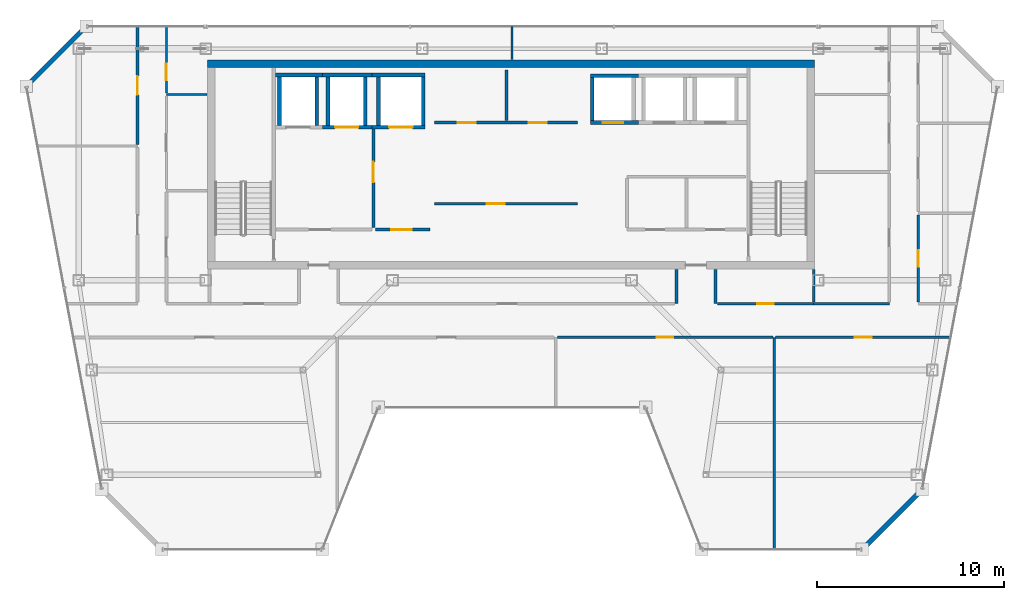
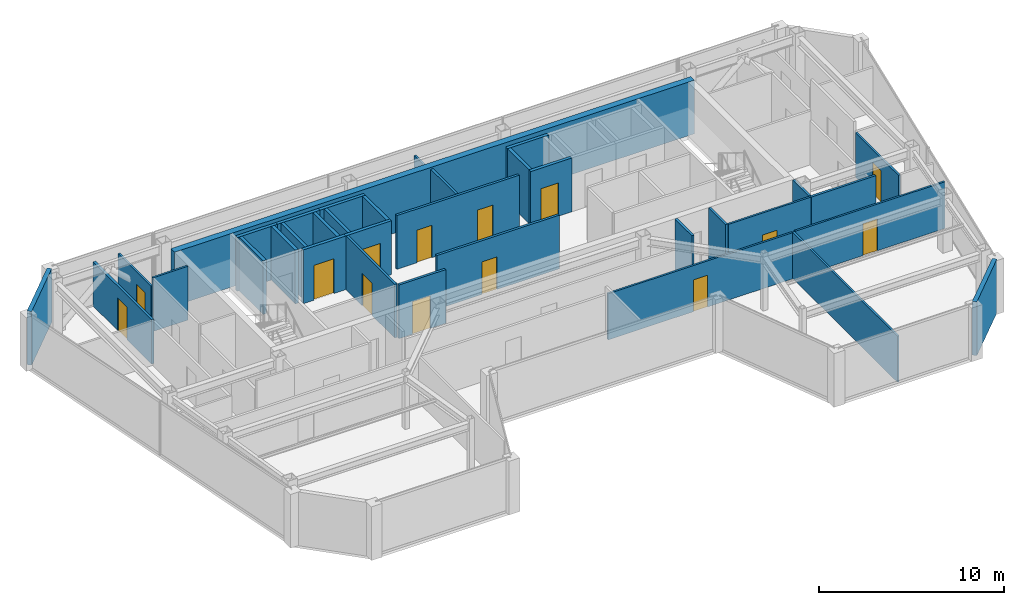
# One storey, part 19 of 22: 35 walls, 14 doors, 14 openings.
"""IFC4 building model written with IfcOpenShell, lengths in metres."""

from ifc_helpers import new_model, si_unit, direction, frame, frame_2d, origin, place, context, subcontext, project, spatial, rectangle, extrude, material, layer, layer_set, type_object, element, fill, save


model = new_model("IFC4")

# Units and contexts
model_context = context("Model", 3, precision=1e-05, world=origin(), true_north=direction((0.0, 1.0)))
body_context = subcontext(model_context, "Body", "Model", "MODEL_VIEW")
ifc_project = project(units=[si_unit("LENGTHUNIT", "METRE"), si_unit("AREAUNIT", "SQUARE_METRE"), si_unit("VOLUMEUNIT", "CUBIC_METRE"), si_unit("PLANEANGLEUNIT", "RADIAN"), si_unit("MASSUNIT", "GRAM", prefix="KILO")], contexts=[model_context])

# Site, building, storey
site_placement = place(None, origin())
site = spatial("IfcSite", under=ifc_project, at=site_placement, CompositionType="ELEMENT")
building_placement = place(site_placement, origin())
building = spatial("IfcBuilding", under=site, at=building_placement, Name="Saevonmaru Cultural Tower", CompositionType="ELEMENT")
storey_placement = place(building_placement, frame((0.0, 0.0, 287.60009765625)))
storey = spatial("IfcBuildingStorey", under=building, at=storey_placement, Name="L68", CompositionType="ELEMENT", Elevation=287.60009765625)

# Wall
ifc_material_1 = material(Name="Concrete C50/60", Category="concrete")
ifc_layer_1 = layer(ifc_material_1, 0.39990234375, Name="Concrete C50/60")
ifc_layer_set_1 = layer_set([ifc_layer_1], Name="Concrete C50/60")
wall_type_1 = type_object("IfcWallType", Name="WL-CORE-400", PredefinedType="SHEAR", material=ifc_layer_set_1)
wall_1_placement = place(storey_placement, frame((13.699951171875, 54.0, 0.0), z_axis=(0.0, 0.0, 1.0), x_axis=(1.0, 0.0, 0.0)))
element("IfcWall", 1, at=wall_1_placement, inside=storey, type_object=wall_type_1, Name="L68 Tower RC core shear wall N", PredefinedType="SHEAR", context=body_context, shape_type="SweptSolid", body=[
    extrude(rectangle(XDim=32.5, YDim=0.39990234375, at=frame_2d((16.25, 0.0))), origin(), (0.0, 0.0, 1.0), 3.5498046875),
])

# Wall, opening, door
ifc_material_2 = material(Name="Gypsum Fireboard Partition", Category="gypsum")
ifc_layer_2 = layer(ifc_material_2, 0.14990234375, Name="Gypsum Fireboard Partition")
ifc_layer_set_2 = layer_set([ifc_layer_2], Name="Gypsum Fireboard Partition")
wall_type_2 = type_object("IfcWallType", Name="WL-CORE-PART-150", PredefinedType="PARTITIONING", material=ifc_layer_set_2)
wall_2_placement = place(storey_placement, frame((22.580078125, 50.550048828125, 0.0), z_axis=(0.0, 0.0, 1.0), x_axis=(0.0, -1.0, 0.0)))
wall_2 = element("IfcWall", 2, at=wall_2_placement, inside=storey, type_object=wall_type_2, Name="L68 Firefighting Lift Lobby East Wall", PredefinedType="PARTITIONING", context=body_context, shape_type="SweptSolid", body=[
    extrude(rectangle(XDim=5.330078125, YDim=0.14990234375, at=frame_2d((2.6650390625, 0.0))), origin(), (0.0, 0.0, 1.0), 3.5498046875),
])
opening_1_placement = place(wall_2_placement, frame((1.800048828125, 0.0, 0.0)))
opening_1 = element("IfcOpeningElement", 3, at=opening_1_placement, cuts=wall_2, Name="Opening FD-2", PredefinedType="OPENING", context=body_context, shape_type="SweptSolid", body=[
    extrude(rectangle(XDim=1.10009765625, YDim=2.14990234375, at=frame_2d((0.550048828125, 1.074951171875))), frame((0.0, 0.0849609375, 0.0), z_axis=(0.0, -1.0, 0.0), x_axis=(1.0, 0.0, 0.0)), (0.0, 0.0, 1.0), 0.169921875),
])
ifc_material_3 = material(Name="Satin Bronze Anodised Aluminium", Category="aluminium")
door_type_1 = type_object("IfcDoorType", Name="DR-FD60-1100", OperationType="SINGLE_SWING_LEFT", PredefinedType="DOOR", material=ifc_material_3)
door_1_placement = place(opening_1_placement, origin())
door_1 = element("IfcDoor", 4, at=door_1_placement, inside=storey, type_object=door_type_1, Name="L68 Firefighting Lift Lobby East Door", OperationType="SINGLE_SWING_LEFT", OverallHeight=2.14990234375, OverallWidth=1.10009765625, PredefinedType="DOOR", context=body_context, shape_type="SweptSolid", body=[
    extrude(rectangle(XDim=1.10009765625, YDim=2.14990234375, at=frame_2d((0.550048828125, 1.074951171875))), frame((0.0, 0.02490234375, 0.0), z_axis=(0.0, -1.0, 0.0), x_axis=(1.0, 0.0, 0.0)), (0.0, 0.0, 1.0), 0.050048828125),
])
fill(opening_1, door_1)

wall_3_placement = place(storey_placement, frame((22.679931640625, 45.1201171875, 0.0), z_axis=(0.0, 0.0, 1.0), x_axis=(1.0, 0.0, 0.0)))
wall_3 = element("IfcWall", 5, at=wall_3_placement, inside=storey, type_object=wall_type_2, Name="L68 Service Lift Vestibule Wall", PredefinedType="PARTITIONING", context=body_context, shape_type="SweptSolid", body=[
    extrude(rectangle(XDim=2.920166015625, YDim=0.14990234375, at=frame_2d((1.4599609375, 0.0))), origin(), (0.0, 0.0, 1.0), 3.5498046875),
])
opening_2_placement = place(wall_3_placement, frame((0.85009765625, 0.0, 0.0)))
opening_2 = element("IfcOpeningElement", 6, at=opening_2_placement, cuts=wall_3, Name="Opening FD-2", PredefinedType="OPENING", context=body_context, shape_type="SweptSolid", body=[
    extrude(rectangle(XDim=1.10009765625, YDim=2.14990234375, at=frame_2d((0.550048828125, 1.074951171875))), frame((0.0, 0.0849609375, 0.0), z_axis=(0.0, -1.0, 0.0), x_axis=(1.0, 0.0, 0.0)), (0.0, 0.0, 1.0), 0.169921875),
])
door_2_placement = place(opening_2_placement, origin())
door_2 = element("IfcDoor", 7, at=door_2_placement, inside=storey, type_object=door_type_1, Name="L68 Service Lift Vestibule Door", OperationType="SINGLE_SWING_LEFT", OverallHeight=2.14990234375, OverallWidth=1.10009765625, PredefinedType="DOOR", context=body_context, shape_type="SweptSolid", body=[
    extrude(rectangle(XDim=1.10009765625, YDim=2.14990234375, at=frame_2d((0.550048828125, 1.074951171875))), frame((0.0, 0.02490234375, 0.0), z_axis=(0.0, -1.0, 0.0), x_axis=(1.0, 0.0, 0.0)), (0.0, 0.0, 1.0), 0.050048828125),
])
fill(opening_2, door_2)

# Wall, openings, doors
wall_4_placement = place(storey_placement, frame((25.85009765625, 50.85009765625, 0.0), z_axis=(0.0, 0.0, 1.0), x_axis=(1.0, 0.0, 0.0)))
wall_4 = element("IfcWall", 8, at=wall_4_placement, inside=storey, type_object=wall_type_2, Name="L68 Reclaimed Core Room South Wall", PredefinedType="PARTITIONING", context=body_context, shape_type="SweptSolid", body=[
    extrude(rectangle(XDim=7.64990234375, YDim=0.14990234375, at=frame_2d((3.824951171875, 0.0))), origin(), (0.0, 0.0, 1.0), 3.5498046875),
])
opening_3_placement = place(wall_4_placement, frame((1.25, 0.0, 0.0)))
opening_3 = element("IfcOpeningElement", 9, at=opening_3_placement, cuts=wall_4, Name="Opening FD-4", PredefinedType="OPENING", context=body_context, shape_type="SweptSolid", body=[
    extrude(rectangle(XDim=0.949951171875, YDim=2.14990234375, at=frame_2d((0.47509765625, 1.074951171875))), frame((0.0, 0.0849609375, 0.0), z_axis=(0.0, -1.0, 0.0), x_axis=(1.0, 0.0, 0.0)), (0.0, 0.0, 1.0), 0.169921875),
])
opening_4_placement = place(wall_4_placement, frame((5.050048828125, 0.0, 0.0)))
opening_4 = element("IfcOpeningElement", 10, at=opening_4_placement, cuts=wall_4, Name="Opening FD-4", PredefinedType="OPENING", context=body_context, shape_type="SweptSolid", body=[
    extrude(rectangle(XDim=0.949951171875, YDim=2.14990234375, at=frame_2d((0.47509765625, 1.074951171875))), frame((0.0, 0.0849609375, 0.0), z_axis=(0.0, -1.0, 0.0), x_axis=(1.0, 0.0, 0.0)), (0.0, 0.0, 1.0), 0.169921875),
])
door_type_2 = type_object("IfcDoorType", Name="DR-FD60-950", OperationType="SINGLE_SWING_LEFT", PredefinedType="DOOR", material=ifc_material_3)
door_3_placement = place(opening_3_placement, origin())
door_3 = element("IfcDoor", 11, at=door_3_placement, inside=storey, type_object=door_type_2, Name="L68 Reclaimed Archive Vault Door", OperationType="SINGLE_SWING_LEFT", OverallHeight=2.14990234375, OverallWidth=0.949951171875, PredefinedType="DOOR", context=body_context, shape_type="SweptSolid", body=[
    extrude(rectangle(XDim=0.949951171875, YDim=2.14990234375, at=frame_2d((0.47509765625, 1.074951171875))), frame((0.0, 0.02490234375, 0.0), z_axis=(0.0, -1.0, 0.0), x_axis=(1.0, 0.0, 0.0)), (0.0, 0.0, 1.0), 0.050048828125),
])
fill(opening_3, door_3)
door_4_placement = place(opening_4_placement, origin())
door_4 = element("IfcDoor", 12, at=door_4_placement, inside=storey, type_object=door_type_2, Name="L68 Reclaimed Conservation Storage Door", OperationType="SINGLE_SWING_LEFT", OverallHeight=2.14990234375, OverallWidth=0.949951171875, PredefinedType="DOOR", context=body_context, shape_type="SweptSolid", body=[
    extrude(rectangle(XDim=0.949951171875, YDim=2.14990234375, at=frame_2d((0.47509765625, 1.074951171875))), frame((0.0, 0.02490234375, 0.0), z_axis=(0.0, -1.0, 0.0), x_axis=(1.0, 0.0, 0.0)), (0.0, 0.0, 1.0), 0.050048828125),
])
fill(opening_4, door_4)

# Wall
wall_5_placement = place(storey_placement, frame((29.699951171875, 50.949951171875, 0.0), z_axis=(0.0, 0.0, 1.0), x_axis=(0.0, 1.0, 0.0)))
element("IfcWall", 13, at=wall_5_placement, inside=storey, type_object=wall_type_2, Name="L68 Reclaimed Vault Split", PredefinedType="PARTITIONING", context=body_context, shape_type="SweptSolid", body=[
    extrude(rectangle(XDim=2.699951171875, YDim=0.14990234375, at=frame_2d((1.35009765625, 0.0))), origin(), (0.0, 0.0, 1.0), 3.5498046875),
])

# Wall, opening, door
wall_6_placement = place(storey_placement, frame((25.85009765625, 46.5, 0.0), z_axis=(0.0, 0.0, 1.0), x_axis=(1.0, 0.0, 0.0)))
wall_6 = element("IfcWall", 14, at=wall_6_placement, inside=storey, type_object=wall_type_2, Name="L68 Reclaimed Mid-Shaft Wall", PredefinedType="PARTITIONING", context=body_context, shape_type="SweptSolid", body=[
    extrude(rectangle(XDim=7.64990234375, YDim=0.14990234375, at=frame_2d((3.824951171875, 0.0))), origin(), (0.0, 0.0, 1.0), 3.5498046875),
])
opening_5_placement = place(wall_6_placement, frame((2.800048828125, 0.0, 0.0)))
opening_5 = element("IfcOpeningElement", 15, at=opening_5_placement, cuts=wall_6, Name="Opening FD-4", PredefinedType="OPENING", context=body_context, shape_type="SweptSolid", body=[
    extrude(rectangle(XDim=0.949951171875, YDim=2.14990234375, at=frame_2d((0.47509765625, 1.074951171875))), frame((0.0, 0.0849609375, 0.0), z_axis=(0.0, -1.0, 0.0), x_axis=(1.0, 0.0, 0.0)), (0.0, 0.0, 1.0), 0.169921875),
])
door_5_placement = place(opening_5_placement, origin())
door_5 = element("IfcDoor", 16, at=door_5_placement, inside=storey, type_object=door_type_2, Name="L68 Reclaimed Manuscript Storage Door", OperationType="SINGLE_SWING_LEFT", OverallHeight=2.14990234375, OverallWidth=0.949951171875, PredefinedType="DOOR", context=body_context, shape_type="SweptSolid", body=[
    extrude(rectangle(XDim=0.949951171875, YDim=2.14990234375, at=frame_2d((0.47509765625, 1.074951171875))), frame((0.0, 0.02490234375, 0.0), z_axis=(0.0, -1.0, 0.0), x_axis=(1.0, 0.0, 0.0)), (0.0, 0.0, 1.0), 0.050048828125),
])
fill(opening_5, door_5)

# Walls
ifc_material_4 = material(Name="Granite-Clad Precast Concrete C40/50", Category="masonry")
ifc_layer_3 = layer(ifc_material_4, 0.260009765625, Name="Granite-Clad Precast Concrete C40/50")
ifc_layer_set_3 = layer_set([ifc_layer_3], Name="Granite-Clad Precast Concrete C40/50")
wall_type_3 = type_object("IfcWallType", Name="WL-EXT-SPANDREL-260", PredefinedType="STANDARD", material=ifc_layer_set_3)
for number, where, z_axis, x_axis, name in (
    (17, (48.86865234375, 28.113037109375, 0.0), (0.0, 0.0, 1.0), (0.707106781187, 0.707106781187, 0.0), "L68 Chamfer Corner Spandrel Wall E7"),
    (18, (7.0869140625, 55.886962890625, 0.0), (0.0, 0.0, 1.0), (-0.707106781187, -0.707106781187, 0.0), "L68 Chamfer Corner Spandrel Wall E11"),
):
    element("IfcWall", number, at=place(storey_placement, frame(where, z_axis=z_axis, x_axis=x_axis)), inside=storey, type_object=wall_type_3, Name=name, PredefinedType="STANDARD", context=body_context, shape_type="SweptSolid", body=[
        extrude(rectangle(XDim=4.205810546875, YDim=0.260009765625, at=frame_2d((2.10302734375, 0.0))), origin(), (0.0, 0.0, 1.0), 3.5498046875),
    ])

# Wall, opening, door
ifc_layer_4 = layer(ifc_material_2, 0.14990234375, Name="Gypsum Fireboard Partition")
ifc_layer_set_4 = layer_set([ifc_layer_4], Name="Gypsum Fireboard Partition")
wall_type_4 = type_object("IfcWallType", Name="WL-PART-FIRE-150", PredefinedType="PARTITIONING", material=ifc_layer_set_4)
wall_7_placement = place(storey_placement, frame((9.949951171875, 49.679931640625, 0.0), z_axis=(0.0, 0.0, 1.0), x_axis=(0.0, 1.0, 0.0)))
wall_7 = element("IfcWall", 19, at=wall_7_placement, inside=storey, type_object=wall_type_4, Name="L68 Sound Art Screening Auditorium Corridor Wall", PredefinedType="PARTITIONING", context=body_context, shape_type="SweptSolid", body=[
    extrude(rectangle(XDim=6.315185546875, YDim=0.14990234375, at=frame_2d((3.15771484375, 0.0))), origin(), (0.0, 0.0, 1.0), 2.934814453125),
])
opening_6_placement = place(wall_7_placement, frame((2.656982421875, 0.0, 0.0)))
opening_6 = element("IfcOpeningElement", 20, at=opening_6_placement, cuts=wall_7, Name="Opening ID-1B", PredefinedType="OPENING", context=body_context, shape_type="SweptSolid", body=[
    extrude(rectangle(XDim=1.0, YDim=2.14990234375, at=frame_2d((0.5, 1.074951171875))), frame((0.0, 0.0849609375, 0.0), z_axis=(0.0, -1.0, 0.0), x_axis=(1.0, 0.0, 0.0)), (0.0, 0.0, 1.0), 0.169921875),
])
ifc_material_5 = material(Name="Acoustic Stained Oak Timber", Category="wood")
door_type_3 = type_object("IfcDoorType", Name="DR-INT-1000", OperationType="SINGLE_SWING_RIGHT", PredefinedType="DOOR", material=ifc_material_5)
door_6_placement = place(opening_6_placement, origin())
door_6 = element("IfcDoor", 21, at=door_6_placement, inside=storey, type_object=door_type_3, Name="L68 Sound Art Screening Auditorium Door", OperationType="SINGLE_SWING_LEFT", OverallHeight=2.14990234375, OverallWidth=1.0, PredefinedType="DOOR", context=body_context, shape_type="SweptSolid", body=[
    extrude(rectangle(XDim=1.0, YDim=2.14990234375, at=frame_2d((0.5, 1.074951171875))), frame((0.0, 0.02490234375, 0.0), z_axis=(0.0, -1.0, 0.0), x_axis=(1.0, 0.0, 0.0)), (0.0, 0.0, 1.0), 0.050048828125),
])
fill(opening_6, door_6)

# Walls
for number, where, z_axis, x_axis, name in (
    (22, (38.800048828125, 41.14990234375, 0.0), (0.0, 0.0, 1.0), (0.0, 1.0, 0.0), "L68 Core Portal Side Wall E1"),
    (23, (40.89990234375, 41.14990234375, 0.0), (0.0, 0.0, 1.0), (0.0, 1.0, 0.0), "L68 Core Portal Side Wall E2"),
):
    element("IfcWall", number, at=place(storey_placement, frame(where, z_axis=z_axis, x_axis=x_axis)), inside=storey, type_object=wall_type_4, Name=name, PredefinedType="PARTITIONING", context=body_context, shape_type="SweptSolid", body=[
        extrude(rectangle(XDim=1.830078125, YDim=0.14990234375, at=frame_2d((0.9150390625, 0.0))), origin(), (0.0, 0.0, 1.0), 3.5498046875),
    ])
ifc_layer_5 = layer(ifc_material_2, 0.1201171875, Name="Gypsum Fireboard Partition")
ifc_layer_set_5 = layer_set([ifc_layer_5], Name="Gypsum Fireboard Partition")
wall_type_5 = type_object("IfcWallType", Name="WL-PART-GYP-120", PredefinedType="PARTITIONING", material=ifc_layer_set_5)
wall_8_placement = place(storey_placement, frame((11.5, 52.35009765625, 0.0), z_axis=(0.0, 0.0, 1.0), x_axis=(1.0, 0.0, 0.0)))
element("IfcWall", 24, at=wall_8_placement, inside=storey, type_object=wall_type_5, Name="L68 North-West Panorama South Wall", PredefinedType="PARTITIONING", context=body_context, shape_type="SweptSolid", body=[
    extrude(rectangle(XDim=2.179931640625, YDim=0.1201171875, at=frame_2d((1.08984375, 0.0))), origin(), (0.0, 0.0, 1.0), 3.5498046875),
])
wall_9_placement = place(storey_placement, frame((30.0, 54.219970703125, 0.0), z_axis=(0.0, 0.0, 1.0), x_axis=(0.0, 1.0, 0.0)))
element("IfcWall", 25, at=wall_9_placement, inside=storey, type_object=wall_type_5, Name="L68 North Panorama Center Split", PredefinedType="PARTITIONING", context=body_context, shape_type="SweptSolid", body=[
    extrude(rectangle(XDim=1.775146484375, YDim=0.1201171875, at=frame_2d((0.8876953125, 0.0))), origin(), (0.0, 0.0, 1.0), 2.934814453125),
])

# Wall, opening, door
wall_10_placement = place(storey_placement, frame((11.5, 52.429931640625, 0.0), z_axis=(0.0, 0.0, 1.0), x_axis=(0.0, 1.0, 0.0)))
wall_10 = element("IfcWall", 26, at=wall_10_placement, inside=storey, type_object=wall_type_5, Name="L68 Civic Policy Meeting Room Corridor Wall", PredefinedType="PARTITIONING", context=body_context, shape_type="SweptSolid", body=[
    extrude(rectangle(XDim=3.565185546875, YDim=0.1201171875, at=frame_2d((1.78271484375, 0.0))), origin(), (0.0, 0.0, 1.0), 2.934814453125),
])
opening_7_placement = place(wall_10_placement, frame((0.672119140625, 0.0, 0.0)))
opening_7 = element("IfcOpeningElement", 27, at=opening_7_placement, cuts=wall_10, Name="Opening ID-2", PredefinedType="OPENING", context=body_context, shape_type="SweptSolid", body=[
    extrude(rectangle(XDim=0.89990234375, YDim=2.10009765625, at=frame_2d((0.449951171875, 1.050048828125))), frame((0.0, 0.070068359375, 0.0), z_axis=(0.0, -1.0, 0.0), x_axis=(1.0, 0.0, 0.0)), (0.0, 0.0, 1.0), 0.14013671875),
])
door_type_4 = type_object("IfcDoorType", Name="DR-INT-900", OperationType="SINGLE_SWING_RIGHT", PredefinedType="DOOR", material=ifc_material_5)
door_7_placement = place(opening_7_placement, origin())
door_7 = element("IfcDoor", 28, at=door_7_placement, inside=storey, type_object=door_type_4, Name="L68 Civic Policy Meeting Room Door", OperationType="SINGLE_SWING_LEFT", OverallHeight=2.10009765625, OverallWidth=0.89990234375, PredefinedType="DOOR", context=body_context, shape_type="SweptSolid", body=[
    extrude(rectangle(XDim=0.89990234375, YDim=2.10009765625, at=frame_2d((0.449951171875, 1.050048828125))), frame((0.0, 0.02490234375, 0.0), z_axis=(0.0, -1.0, 0.0), x_axis=(1.0, 0.0, 0.0)), (0.0, 0.0, 1.0), 0.050048828125),
])
fill(opening_7, door_7)

wall_11_placement = place(storey_placement, frame((51.75, 41.237548828125, 0.0), z_axis=(0.0, 0.0, 1.0), x_axis=(0.0, 1.0, 0.0)))
wall_11 = element("IfcWall", 29, at=wall_11_placement, inside=storey, type_object=wall_type_5, Name="L68 Scholarly Colloquium Meeting Room Corridor Wall", PredefinedType="PARTITIONING", context=body_context, shape_type="SweptSolid", body=[
    extrude(rectangle(XDim=4.675048828125, YDim=0.1201171875, at=frame_2d((2.33740234375, 0.0))), origin(), (0.0, 0.0, 1.0), 2.947021484375),
])
opening_8_placement = place(wall_11_placement, frame((1.887939453125, 0.0, 0.0)))
opening_8 = element("IfcOpeningElement", 30, at=opening_8_placement, cuts=wall_11, Name="Opening ID-2", PredefinedType="OPENING", context=body_context, shape_type="SweptSolid", body=[
    extrude(rectangle(XDim=0.89990234375, YDim=2.10009765625, at=frame_2d((0.449951171875, 1.050048828125))), frame((0.0, 0.070068359375, 0.0), z_axis=(0.0, -1.0, 0.0), x_axis=(1.0, 0.0, 0.0)), (0.0, 0.0, 1.0), 0.14013671875),
])
door_8_placement = place(opening_8_placement, origin())
door_8 = element("IfcDoor", 31, at=door_8_placement, inside=storey, type_object=door_type_4, Name="L68 Scholarly Colloquium Meeting Room Door", OperationType="SINGLE_SWING_RIGHT", OverallHeight=2.10009765625, OverallWidth=0.89990234375, PredefinedType="DOOR", context=body_context, shape_type="SweptSolid", body=[
    extrude(rectangle(XDim=0.89990234375, YDim=2.10009765625, at=frame_2d((0.449951171875, 1.050048828125))), frame((0.0, 0.02490234375, 0.0), z_axis=(0.0, -1.0, 0.0), x_axis=(1.0, 0.0, 0.0)), (0.0, 0.0, 1.0), 0.050048828125),
])
fill(opening_8, door_8)

wall_12_placement = place(storey_placement, frame((40.9951171875, 41.14990234375, 0.0), z_axis=(0.0, 0.0, 1.0), x_axis=(1.0, 0.0, 0.0)))
wall_12 = element("IfcWall", 32, at=wall_12_placement, inside=storey, type_object=wall_type_5, Name="L68 Civic Policy Meeting Room Corridor Wall", PredefinedType="PARTITIONING", context=body_context, shape_type="SweptSolid", body=[
    extrude(rectangle(XDim=5.15478515625, YDim=0.1201171875, at=frame_2d((2.577392578125, 0.0))), origin(), (0.0, 0.0, 1.0), 3.5498046875),
])
opening_9_placement = place(wall_12_placement, frame((2.1279296875, 0.0, 0.0)))
opening_9 = element("IfcOpeningElement", 33, at=opening_9_placement, cuts=wall_12, Name="Opening ID-2", PredefinedType="OPENING", context=body_context, shape_type="SweptSolid", body=[
    extrude(rectangle(XDim=0.89990234375, YDim=2.10009765625, at=frame_2d((0.449951171875, 1.050048828125))), frame((0.0, 0.070068359375, 0.0), z_axis=(0.0, -1.0, 0.0), x_axis=(1.0, 0.0, 0.0)), (0.0, 0.0, 1.0), 0.14013671875),
])
door_9_placement = place(opening_9_placement, origin())
door_9 = element("IfcDoor", 34, at=door_9_placement, inside=storey, type_object=door_type_4, Name="L68 Civic Policy Meeting Room Door", OperationType="SINGLE_SWING_LEFT", OverallHeight=2.10009765625, OverallWidth=0.89990234375, PredefinedType="DOOR", context=body_context, shape_type="SweptSolid", body=[
    extrude(rectangle(XDim=0.89990234375, YDim=2.10009765625, at=frame_2d((0.449951171875, 1.050048828125))), frame((0.0, 0.02490234375, 0.0), z_axis=(0.0, -1.0, 0.0), x_axis=(1.0, 0.0, 0.0)), (0.0, 0.0, 1.0), 0.050048828125),
])
fill(opening_9, door_9)

# Wall
wall_13_placement = place(storey_placement, frame((44.0400390625, 28.0048828125, 0.0), z_axis=(0.0, 0.0, 1.0), x_axis=(0.0, 1.0, 0.0)))
element("IfcWall", 35, at=wall_13_placement, inside=storey, type_object=wall_type_5, Name="L68 Observatory Bay Divider 3", PredefinedType="PARTITIONING", context=body_context, shape_type="SweptSolid", body=[
    extrude(rectangle(XDim=11.34521484375, YDim=0.1201171875, at=frame_2d((5.672607421875, 0.0))), origin(), (0.0, 0.0, 1.0), 3.046875),
])

# Wall, opening, door
wall_14_placement = place(storey_placement, frame((32.427490234375, 39.35009765625, 0.0), z_axis=(0.0, 0.0, 1.0), x_axis=(1.0, 0.0, 0.0)))
wall_14 = element("IfcWall", 36, at=wall_14_placement, inside=storey, type_object=wall_type_5, Name="L68 Civic Policy Meeting Room Corridor Wall", PredefinedType="PARTITIONING", context=body_context, shape_type="SweptSolid", body=[
    extrude(rectangle(XDim=11.532470703125, YDim=0.1201171875, at=frame_2d((5.76611328125, 0.0))), origin(), (0.0, 0.0, 1.0), 3.046875),
])
opening_10_placement = place(wall_14_placement, frame((5.31591796875, 0.0, 0.0)))
opening_10 = element("IfcOpeningElement", 37, at=opening_10_placement, cuts=wall_14, Name="Opening ID-2", PredefinedType="OPENING", context=body_context, shape_type="SweptSolid", body=[
    extrude(rectangle(XDim=0.89990234375, YDim=2.10009765625, at=frame_2d((0.449951171875, 1.050048828125))), frame((0.0, 0.070068359375, 0.0), z_axis=(0.0, -1.0, 0.0), x_axis=(1.0, 0.0, 0.0)), (0.0, 0.0, 1.0), 0.14013671875),
])
door_10_placement = place(opening_10_placement, origin())
door_10 = element("IfcDoor", 38, at=door_10_placement, inside=storey, type_object=door_type_4, Name="L68 Civic Policy Meeting Room Door", OperationType="SINGLE_SWING_RIGHT", OverallHeight=2.10009765625, OverallWidth=0.89990234375, PredefinedType="DOOR", context=body_context, shape_type="SweptSolid", body=[
    extrude(rectangle(XDim=0.89990234375, YDim=2.10009765625, at=frame_2d((0.449951171875, 1.050048828125))), frame((0.0, 0.02490234375, 0.0), z_axis=(0.0, -1.0, 0.0), x_axis=(1.0, 0.0, 0.0)), (0.0, 0.0, 1.0), 0.050048828125),
])
fill(opening_10, door_10)

wall_15_placement = place(storey_placement, frame((44.1201171875, 39.35009765625, 0.0), z_axis=(0.0, 0.0, 1.0), x_axis=(1.0, 0.0, 0.0)))
wall_15 = element("IfcWall", 39, at=wall_15_placement, inside=storey, type_object=wall_type_5, Name="L68 Scholarly Colloquium Meeting Room Corridor Wall", PredefinedType="PARTITIONING", context=body_context, shape_type="SweptSolid", body=[
    extrude(rectangle(XDim=9.3564453125, YDim=0.1201171875, at=frame_2d((4.67822265625, 0.0))), origin(), (0.0, 0.0, 1.0), 3.0849609375),
])
opening_11_placement = place(wall_15_placement, frame((4.22802734375, 0.0, 0.0)))
opening_11 = element("IfcOpeningElement", 40, at=opening_11_placement, cuts=wall_15, Name="Opening ID-2", PredefinedType="OPENING", context=body_context, shape_type="SweptSolid", body=[
    extrude(rectangle(XDim=0.89990234375, YDim=2.10009765625, at=frame_2d((0.449951171875, 1.050048828125))), frame((0.0, 0.070068359375, 0.0), z_axis=(0.0, -1.0, 0.0), x_axis=(1.0, 0.0, 0.0)), (0.0, 0.0, 1.0), 0.14013671875),
])
door_11_placement = place(opening_11_placement, origin())
door_11 = element("IfcDoor", 41, at=door_11_placement, inside=storey, type_object=door_type_4, Name="L68 Scholarly Colloquium Meeting Room Door", OperationType="SINGLE_SWING_LEFT", OverallHeight=2.10009765625, OverallWidth=0.89990234375, PredefinedType="DOOR", context=body_context, shape_type="SweptSolid", body=[
    extrude(rectangle(XDim=0.89990234375, YDim=2.10009765625, at=frame_2d((0.449951171875, 1.050048828125))), frame((0.0, 0.02490234375, 0.0), z_axis=(0.0, -1.0, 0.0), x_axis=(1.0, 0.0, 0.0)), (0.0, 0.0, 1.0), 0.050048828125),
])
fill(opening_11, door_11)

# Walls
ifc_layer_6 = layer(ifc_material_2, 0.139892578125, Name="Gypsum Fireboard Partition")
ifc_layer_set_6 = layer_set([ifc_layer_6], Name="Gypsum Fireboard Partition")
wall_type_6 = type_object("IfcWallType", Name="WL-PART-WET-140", PredefinedType="PARTITIONING", material=ifc_layer_set_6)
wall_16_placement = place(storey_placement, frame((46.14990234375, 41.14990234375, 0.0), z_axis=(0.0, 0.0, 1.0), x_axis=(1.0, 0.0, 0.0)))
element("IfcWall", 42, at=wall_16_placement, inside=storey, type_object=wall_type_6, Name="L68 Washroom South Wall", PredefinedType="PARTITIONING", context=body_context, shape_type="SweptSolid", body=[
    extrude(rectangle(XDim=4.050048828125, YDim=0.139892578125, at=frame_2d((2.02490234375, 0.0))), origin(), (0.0, 0.0, 1.0), 3.5498046875),
])
wall_17_placement = place(storey_placement, frame((46.14990234375, 41.239990234375, 0.0), z_axis=(0.0, 0.0, 1.0), x_axis=(0.0, 1.0, 0.0)))
element("IfcWall", 43, at=wall_17_placement, inside=storey, type_object=wall_type_6, Name="L68 Washroom South-West Return", PredefinedType="PARTITIONING", context=body_context, shape_type="SweptSolid", body=[
    extrude(rectangle(XDim=1.739990234375, YDim=0.139892578125, at=frame_2d((0.8701171875, 0.0))), origin(), (0.0, 0.0, 1.0), 3.5498046875),
])
ifc_material_6 = material(Name="Concrete C40/50", Category="concrete")
ifc_layer_7 = layer(ifc_material_6, 0.199951171875, Name="Concrete C40/50")
ifc_layer_set_7 = layer_set([ifc_layer_7], Name="Concrete C40/50")
wall_type_7 = type_object("IfcWallType", Name="WL-SHAFT-200", PredefinedType="SHEAR", material=ifc_layer_set_7)
wall_18_placement = place(storey_placement, frame((17.330078125, 53.39990234375, 0.0), z_axis=(0.0, 0.0, 1.0), x_axis=(1.0, 0.0, 0.0)))
element("IfcWall", 44, at=wall_18_placement, inside=storey, type_object=wall_type_7, Name="L68 Lift FFL-1 Hoistway Wall N", PredefinedType="SHEAR", context=body_context, shape_type="SweptSolid", body=[
    extrude(rectangle(XDim=2.52001953125, YDim=0.199951171875, at=frame_2d((1.260009765625, 0.0))), origin(), (0.0, 0.0, 1.0), 3.5498046875),
])
for number, where, z_axis, x_axis, name in (
    (45, (17.550048828125, 50.699951171875, 0.0), (0.0, 0.0, 1.0), (0.0, 1.0, 0.0), "L68 Lift FFL-1 Hoistway Wall W"),
    (46, (19.550048828125, 50.699951171875, 0.0), (0.0, 0.0, 1.0), (0.0, 1.0, 0.0), "L68 Lift FFL-1 Hoistway Wall E"),
):
    element("IfcWall", number, at=place(storey_placement, frame(where, z_axis=z_axis, x_axis=x_axis)), inside=storey, type_object=wall_type_7, Name=name, PredefinedType="SHEAR", context=body_context, shape_type="SweptSolid", body=[
        extrude(rectangle(XDim=2.60009765625, YDim=0.199951171875, at=frame_2d((1.300048828125, 0.0))), origin(), (0.0, 0.0, 1.0), 3.5498046875),
    ])

# Wall, opening, door
wall_19_placement = place(storey_placement, frame((19.85009765625, 50.60009765625, 0.0), z_axis=(0.0, 0.0, 1.0), x_axis=(1.0, 0.0, 0.0)))
wall_19 = element("IfcWall", 47, at=wall_19_placement, inside=storey, type_object=wall_type_7, Name="L68 Lift FFL-2 Hoistway Wall S", PredefinedType="SHEAR", context=body_context, shape_type="SweptSolid", body=[
    extrude(rectangle(XDim=2.64990234375, YDim=0.199951171875, at=frame_2d((1.324951171875, 0.0))), origin(), (0.0, 0.0, 1.0), 3.5498046875),
])
opening_12_placement = place(wall_19_placement, frame((0.675048828125, 0.0, 0.0)))
opening_12 = element("IfcOpeningElement", 48, at=opening_12_placement, cuts=wall_19, Name="Opening LD-2", PredefinedType="OPENING", context=body_context, shape_type="SweptSolid", body=[
    extrude(rectangle(XDim=1.25, YDim=2.300048828125, at=frame_2d((0.625, 1.14990234375))), frame((0.0, 0.10986328125, 0.0), z_axis=(0.0, -1.0, 0.0), x_axis=(1.0, 0.0, 0.0)), (0.0, 0.0, 1.0), 0.219970703125),
])
ifc_material_7 = material(Name="Stainless Steel 316", Category="steel")
door_type_5 = type_object("IfcDoorType", Name="DR-LIFT-1250", OperationType="SLIDING_TO_LEFT", PredefinedType="DOOR", material=ifc_material_7)
door_12_placement = place(opening_12_placement, origin())
door_12 = element("IfcDoor", 49, at=door_12_placement, inside=storey, type_object=door_type_5, Name="L68 Lift FFL-2 Sliding Landing Door", OperationType="SLIDING_TO_LEFT", OverallHeight=2.300048828125, OverallWidth=1.25, PredefinedType="DOOR", context=body_context, shape_type="SweptSolid", body=[
    extrude(rectangle(XDim=1.25, YDim=2.300048828125, at=frame_2d((0.625, 1.14990234375))), frame((0.0, 0.02490234375, 0.0), z_axis=(0.0, -1.0, 0.0), x_axis=(1.0, 0.0, 0.0)), (0.0, 0.0, 1.0), 0.050048828125),
])
fill(opening_12, door_12)

# Walls
wall_20_placement = place(storey_placement, frame((19.85009765625, 53.39990234375, 0.0), z_axis=(0.0, 0.0, 1.0), x_axis=(1.0, 0.0, 0.0)))
element("IfcWall", 50, at=wall_20_placement, inside=storey, type_object=wall_type_7, Name="L68 Lift FFL-2 Hoistway Wall N", PredefinedType="SHEAR", context=body_context, shape_type="SweptSolid", body=[
    extrude(rectangle(XDim=2.64990234375, YDim=0.199951171875, at=frame_2d((1.324951171875, 0.0))), origin(), (0.0, 0.0, 1.0), 3.5498046875),
])
for number, where, z_axis, x_axis, name in (
    (51, (20.14990234375, 50.699951171875, 0.0), (0.0, 0.0, 1.0), (0.0, 1.0, 0.0), "L68 Lift FFL-2 Hoistway Wall W"),
    (52, (22.14990234375, 50.699951171875, 0.0), (0.0, 0.0, 1.0), (0.0, 1.0, 0.0), "L68 Lift FFL-2 Hoistway Wall E"),
):
    element("IfcWall", number, at=place(storey_placement, frame(where, z_axis=z_axis, x_axis=x_axis)), inside=storey, type_object=wall_type_7, Name=name, PredefinedType="SHEAR", context=body_context, shape_type="SweptSolid", body=[
        extrude(rectangle(XDim=2.60009765625, YDim=0.199951171875, at=frame_2d((1.300048828125, 0.0))), origin(), (0.0, 0.0, 1.0), 3.5498046875),
    ])

# Wall, opening, door
wall_21_placement = place(storey_placement, frame((22.5, 50.60009765625, 0.0), z_axis=(0.0, 0.0, 1.0), x_axis=(1.0, 0.0, 0.0)))
wall_21 = element("IfcWall", 53, at=wall_21_placement, inside=storey, type_object=wall_type_7, Name="L68 Lift GL-1 Hoistway Wall S", PredefinedType="SHEAR", context=body_context, shape_type="SweptSolid", body=[
    extrude(rectangle(XDim=2.85009765625, YDim=0.199951171875, at=frame_2d((1.425048828125, 0.0))), origin(), (0.0, 0.0, 1.0), 3.5498046875),
])
opening_13_placement = place(wall_21_placement, frame((0.925048828125, 0.0, 0.0)))
opening_13 = element("IfcOpeningElement", 54, at=opening_13_placement, cuts=wall_21, Name="Opening LD-2", PredefinedType="OPENING", context=body_context, shape_type="SweptSolid", body=[
    extrude(rectangle(XDim=1.25, YDim=2.300048828125, at=frame_2d((0.625, 1.14990234375))), frame((0.0, 0.10986328125, 0.0), z_axis=(0.0, -1.0, 0.0), x_axis=(1.0, 0.0, 0.0)), (0.0, 0.0, 1.0), 0.219970703125),
])
door_13_placement = place(opening_13_placement, origin())
door_13 = element("IfcDoor", 55, at=door_13_placement, inside=storey, type_object=door_type_5, Name="L68 Lift GL-1 Sliding Landing Door", OperationType="SLIDING_TO_LEFT", OverallHeight=2.300048828125, OverallWidth=1.25, PredefinedType="DOOR", context=body_context, shape_type="SweptSolid", body=[
    extrude(rectangle(XDim=1.25, YDim=2.300048828125, at=frame_2d((0.625, 1.14990234375))), frame((0.0, 0.02490234375, 0.0), z_axis=(0.0, -1.0, 0.0), x_axis=(1.0, 0.0, 0.0)), (0.0, 0.0, 1.0), 0.050048828125),
])
fill(opening_13, door_13)

# Walls
wall_22_placement = place(storey_placement, frame((22.5, 53.39990234375, 0.0), z_axis=(0.0, 0.0, 1.0), x_axis=(1.0, 0.0, 0.0)))
element("IfcWall", 56, at=wall_22_placement, inside=storey, type_object=wall_type_7, Name="L68 Lift GL-1 Hoistway Wall N", PredefinedType="SHEAR", context=body_context, shape_type="SweptSolid", body=[
    extrude(rectangle(XDim=2.85009765625, YDim=0.199951171875, at=frame_2d((1.425048828125, 0.0))), origin(), (0.0, 0.0, 1.0), 3.5498046875),
])
for number, where, z_axis, x_axis, name in (
    (57, (22.85009765625, 50.699951171875, 0.0), (0.0, 0.0, 1.0), (0.0, 1.0, 0.0), "L68 Lift GL-1 Hoistway Wall W"),
    (58, (25.25, 50.699951171875, 0.0), (0.0, 0.0, 1.0), (0.0, 1.0, 0.0), "L68 Lift GL-1 Hoistway Wall E"),
):
    element("IfcWall", number, at=place(storey_placement, frame(where, z_axis=z_axis, x_axis=x_axis)), inside=storey, type_object=wall_type_7, Name=name, PredefinedType="SHEAR", context=body_context, shape_type="SweptSolid", body=[
        extrude(rectangle(XDim=2.60009765625, YDim=0.199951171875, at=frame_2d((1.300048828125, 0.0))), origin(), (0.0, 0.0, 1.0), 3.5498046875),
    ])

# Wall, opening, door
wall_23_placement = place(storey_placement, frame((34.199951171875, 50.85009765625, 0.0), z_axis=(0.0, 0.0, 1.0), x_axis=(1.0, 0.0, 0.0)))
wall_23 = element("IfcWall", 59, at=wall_23_placement, inside=storey, type_object=wall_type_7, Name="L68 Lift PL-H1 Hoistway Wall S", PredefinedType="SHEAR", context=body_context, shape_type="SweptSolid", body=[
    extrude(rectangle(XDim=2.574951171875, YDim=0.199951171875, at=frame_2d((1.28759765625, 0.0))), origin(), (0.0, 0.0, 1.0), 3.5498046875),
])
opening_14_placement = place(wall_23_placement, frame((0.64990234375, 0.0, 0.0)))
opening_14 = element("IfcOpeningElement", 60, at=opening_14_placement, cuts=wall_23, Name="Opening LD-1", PredefinedType="OPENING", context=body_context, shape_type="SweptSolid", body=[
    extrude(rectangle(XDim=1.10009765625, YDim=2.199951171875, at=frame_2d((0.550048828125, 1.10009765625))), frame((0.0, 0.10986328125, 0.0), z_axis=(0.0, -1.0, 0.0), x_axis=(1.0, 0.0, 0.0)), (0.0, 0.0, 1.0), 0.219970703125),
])
ifc_material_8 = material(Name="Satin Bronze Stainless Steel", Category="steel")
door_type_6 = type_object("IfcDoorType", Name="DR-LIFT-1100", OperationType="SLIDING_TO_LEFT", PredefinedType="DOOR", material=ifc_material_8)
door_14_placement = place(opening_14_placement, origin())
door_14 = element("IfcDoor", 61, at=door_14_placement, inside=storey, type_object=door_type_6, Name="L68 Lift PL-H1 Sliding Landing Door", OperationType="SLIDING_TO_LEFT", OverallHeight=2.199951171875, OverallWidth=1.10009765625, PredefinedType="DOOR", context=body_context, shape_type="SweptSolid", body=[
    extrude(rectangle(XDim=1.10009765625, YDim=2.199951171875, at=frame_2d((0.550048828125, 1.10009765625))), frame((0.0, 0.02490234375, 0.0), z_axis=(0.0, -1.0, 0.0), x_axis=(1.0, 0.0, 0.0)), (0.0, 0.0, 1.0), 0.050048828125),
])
fill(opening_14, door_14)

# Walls
wall_24_placement = place(storey_placement, frame((34.199951171875, 53.35009765625, 0.0), z_axis=(0.0, 0.0, 1.0), x_axis=(1.0, 0.0, 0.0)))
element("IfcWall", 62, at=wall_24_placement, inside=storey, type_object=wall_type_7, Name="L68 Lift PL-H1 Hoistway Wall N", PredefinedType="SHEAR", context=body_context, shape_type="SweptSolid", body=[
    extrude(rectangle(XDim=2.574951171875, YDim=0.199951171875, at=frame_2d((1.28759765625, 0.0))), origin(), (0.0, 0.0, 1.0), 3.5498046875),
])
wall_25_placement = place(storey_placement, frame((34.300048828125, 50.949951171875, 0.0), z_axis=(0.0, 0.0, 1.0), x_axis=(0.0, 1.0, 0.0)))
element("IfcWall", 63, at=wall_25_placement, inside=storey, type_object=wall_type_7, Name="L68 Lift PL-H1 Hoistway Wall W", PredefinedType="SHEAR", context=body_context, shape_type="SweptSolid", body=[
    extrude(rectangle(XDim=2.300048828125, YDim=0.199951171875, at=frame_2d((1.14990234375, 0.0))), origin(), (0.0, 0.0, 1.0), 3.5498046875),
])

save(model, "model.ifc")
